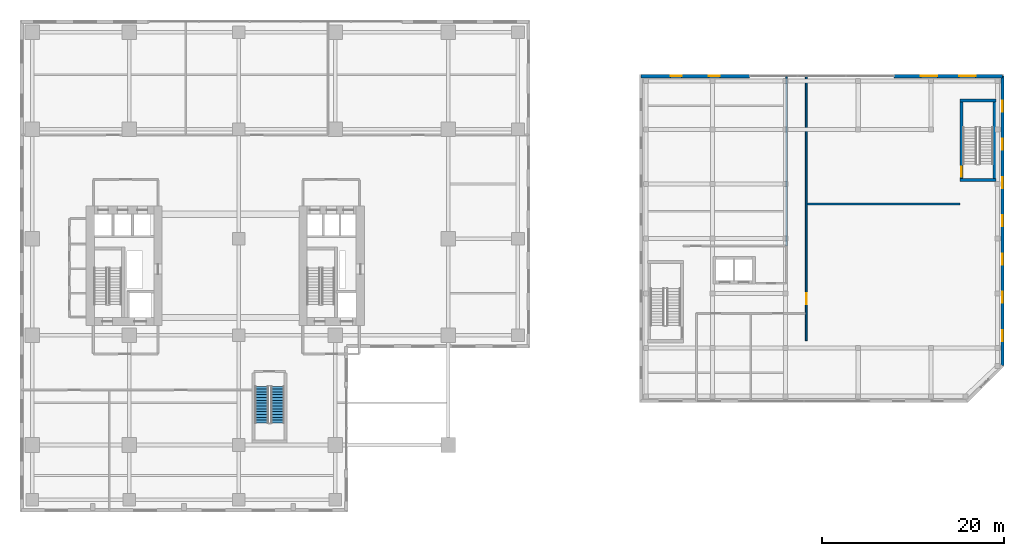
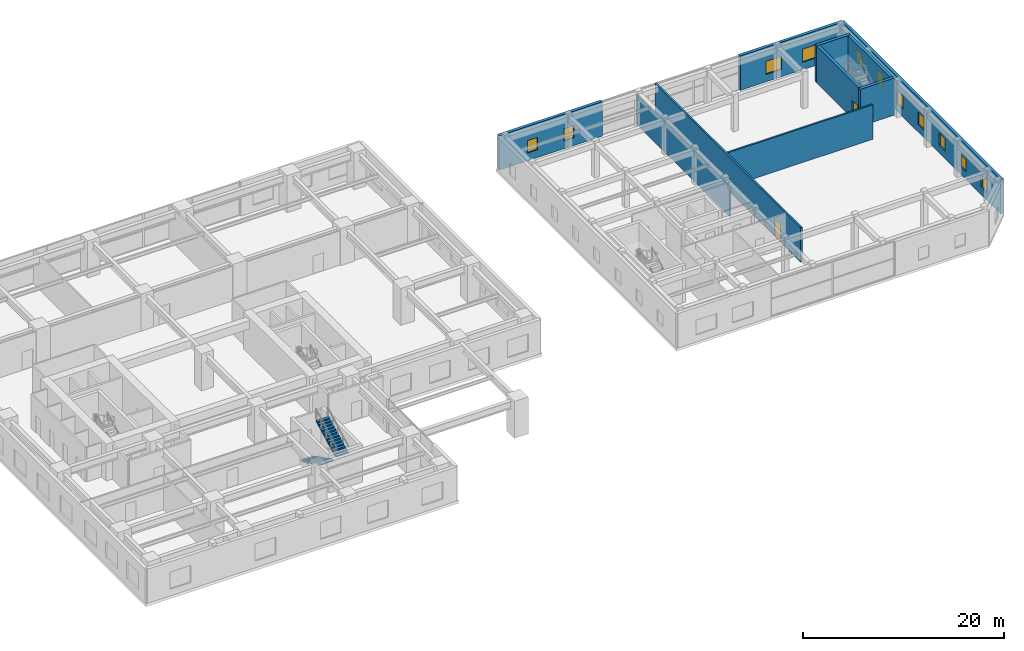
# One storey, part 23 of 26: 11 windows, 10 walls, 2 doors, 2 stair flights, 13 openings, 1 element without a shape of its own.
"""IFC4 building model written with IfcOpenShell, lengths in metres."""

from ifc_helpers import new_model, si_unit, direction, frame, frame_2d, origin, place, context, subcontext, project, spatial, polyline, rectangle, outline, extrude, source, transform, mapped, material, layer, layer_set, type_object, element, fill, aggregate, save


model = new_model("IFC4")

# Units and contexts
model_context = context("Model", 3, precision=1e-05, world=origin(), true_north=direction((0.0, 1.0)))
body_context = subcontext(model_context, "Body", "Model", "MODEL_VIEW")
ifc_project = project(units=[si_unit("LENGTHUNIT", "METRE"), si_unit("AREAUNIT", "SQUARE_METRE"), si_unit("VOLUMEUNIT", "CUBIC_METRE"), si_unit("PLANEANGLEUNIT", "RADIAN"), si_unit("MASSUNIT", "GRAM", prefix="KILO")], contexts=[model_context])

# Site, building, storey
site_placement = place(None, origin())
site = spatial("IfcSite", under=ifc_project, at=site_placement, CompositionType="ELEMENT")
building_placement = place(site_placement, origin())
building = spatial("IfcBuilding", under=site, at=building_placement, Name="Khoralis Quay Care Tower", CompositionType="ELEMENT")
storey_placement = place(building_placement, frame((0.0, 0.0, 13.5)))
storey = spatial("IfcBuildingStorey", under=building, at=storey_placement, Name="L03", CompositionType="ELEMENT", Elevation=13.5)

# Wall, opening, door
ifc_material_1 = material(Name="Gypsum plasterboard on acoustic metal stud")
ifc_layer_1 = layer(ifc_material_1, 0.199951171875)
ifc_layer_set_1 = layer_set([ifc_layer_1], Name="Gypsum plasterboard on acoustic metal stud")
wall_type_1 = type_object("IfcWallType", Name="WL-COMP-200", PredefinedType="PARTITIONING", material=ifc_layer_set_1)
wall_1_placement = place(storey_placement, frame((86.300048828125, 12.800048828125, 0.0), z_axis=(0.0, 0.0, 1.0), x_axis=(0.0, 1.0, 0.0)))
wall_1 = element("IfcWall", 1, at=wall_1_placement, inside=storey, type_object=wall_type_1, Name="L03 Sports Hall West Wall", PredefinedType="PARTITIONING", context=body_context, shape_type="SweptSolid", body=[
    extrude(rectangle(XDim=29.014892578125, YDim=0.199951171875, at=frame_2d((14.50732421875, 0.0))), origin(), (0.0, 0.0, 1.0), 4.199951171875),
])
opening_1_placement = place(wall_1_placement, frame((4.0, 0.0, 0.0)))
opening_1 = element("IfcOpeningElement", 2, at=opening_1_placement, cuts=wall_1, Name="Opening FD1", PredefinedType="OPENING", context=body_context, shape_type="SweptSolid", body=[
    extrude(rectangle(XDim=1.199951171875, YDim=2.199951171875, at=frame_2d((0.60009765625, 1.10009765625))), frame((0.0, 0.10986328125, 0.0), z_axis=(0.0, -1.0, 0.0), x_axis=(1.0, 0.0, 0.0)), (0.0, 0.0, 1.0), 0.219970703125),
])
ifc_material_2 = material(Name="Fire-rated painted steel", Category="steel")
door_type_1 = type_object("IfcDoorType", Name="DR-FFL-1200X2200", OperationType="NOTDEFINED", PredefinedType="DOOR", material=ifc_material_2)
shared_shape_1 = source(origin(), body_context, "Body", "SweptSolid", [
    extrude(rectangle(XDim=1.199951171875, YDim=2.199951171875, at=frame_2d((0.60009765625, 1.10009765625))), frame((0.0, 0.02490234375, 0.0), z_axis=(0.0, -1.0, 0.0), x_axis=(1.0, 0.0, 0.0)), (0.0, 0.0, 1.0), 0.050048828125),
])
door_1_placement = place(opening_1_placement, origin())
door_1 = element("IfcDoor", 3, at=door_1_placement, inside=storey, type_object=door_type_1, Name="Sports Hall Main Entrance Door", OperationType="DOUBLE_DOOR_SINGLE_SWING", OverallHeight=2.199951171875, OverallWidth=1.199951171875, PredefinedType="DOOR", context=body_context, shape_type="MappedRepresentation", body=[
    mapped(shared_shape_1, transform((0.0, 0.0, 0.0), scale=1.0)),
])
fill(opening_1, door_1)

# Walls
wall_2_placement = place(storey_placement, frame((86.39501953125, 27.800048828125, 0.0), z_axis=(0.0, 0.0, 1.0), x_axis=(1.0, 0.0, 0.0)))
element("IfcWall", 4, at=wall_2_placement, inside=storey, type_object=wall_type_1, Name="L03 Sports Hall North Corridor Wall", PredefinedType="PARTITIONING", context=body_context, shape_type="SweptSolid", body=[
    extrude(rectangle(XDim=16.7548828125, YDim=0.199951171875, at=frame_2d((8.37744140625, 0.0))), origin(), (0.0, 0.0, 1.0), 4.199951171875),
])
ifc_layer_2 = layer(ifc_material_1, 0.1650390625)
ifc_layer_set_2 = layer_set([ifc_layer_2], Name="Gypsum plasterboard on acoustic metal stud")
wall_type_2 = type_object("IfcWallType", Name="WL-CORR-165", PredefinedType="PARTITIONING", material=ifc_layer_set_2)
wall_3_placement = place(storey_placement, frame((84.1201171875, 23.199951171875, 0.0), z_axis=(0.0, 0.0, 1.0), x_axis=(0.0, 1.0, 0.0)))
element("IfcWall", 5, at=wall_3_placement, inside=storey, type_object=wall_type_2, Name="L03 Workshop Corridor Wall", PredefinedType="PARTITIONING", context=body_context, shape_type="SweptSolid", body=[
    extrude(rectangle(XDim=18.614990234375, YDim=0.1650390625, at=frame_2d((9.3076171875, 0.0))), origin(), (0.0, 0.0, 1.0), 3.550048828125),
])

# Wall, openings, windows
ifc_material_3 = material(Name="Precast concrete C40/50", Category="concrete")
ifc_layer_3 = layer(ifc_material_3, 0.340087890625)
ifc_layer_set_3 = layer_set([ifc_layer_3], Name="Precast concrete C40/50")
wall_type_3 = type_object("IfcWallType", Name="WL-EXT-SCH-340", PredefinedType="SOLIDWALL", material=ifc_layer_set_3)
wall_4_placement = place(storey_placement, frame((107.830078125, 10.0703125, 0.0), z_axis=(0.0, 0.0, 1.0), x_axis=(0.0, 1.0, 0.0)))
wall_4 = element("IfcWall", 6, at=wall_4_placement, inside=storey, type_object=wall_type_3, Name="L03 External Facade Wall WL-SCH-L03-E2", PredefinedType="SOLIDWALL", context=body_context, shape_type="SweptSolid", body=[
    extrude(rectangle(XDim=31.759765625, YDim=0.340087890625, at=frame_2d((15.8798828125, 0.0))), origin(), (0.0, 0.0, 1.0), 4.199951171875),
])
opening_2_placement = place(wall_4_placement, frame((2.6796875, 0.0, 0.949951171875)))
opening_2 = element("IfcOpeningElement", 7, at=opening_2_placement, cuts=wall_4, Name="Opening W6", PredefinedType="OPENING", context=body_context, shape_type="SweptSolid", body=[
    extrude(rectangle(XDim=1.199951171875, YDim=1.5, at=frame_2d((0.60009765625, 0.75))), frame((0.0, 0.18017578125, 0.0), z_axis=(0.0, -1.0, 0.0), x_axis=(1.0, 0.0, 0.0)), (0.0, 0.0, 1.0), 0.360107421875),
])
opening_3_placement = place(wall_4_placement, frame((6.8798828125, 0.0, 0.949951171875)))
opening_3 = element("IfcOpeningElement", 8, at=opening_3_placement, cuts=wall_4, Name="Opening W6", PredefinedType="OPENING", context=body_context, shape_type="SweptSolid", body=[
    extrude(rectangle(XDim=1.199951171875, YDim=1.5, at=frame_2d((0.60009765625, 0.75))), frame((0.0, 0.18017578125, 0.0), z_axis=(0.0, -1.0, 0.0), x_axis=(1.0, 0.0, 0.0)), (0.0, 0.0, 1.0), 0.360107421875),
])
opening_4_placement = place(wall_4_placement, frame((11.079833984375, 0.0, 0.949951171875)))
opening_4 = element("IfcOpeningElement", 9, at=opening_4_placement, cuts=wall_4, Name="Opening W6", PredefinedType="OPENING", context=body_context, shape_type="SweptSolid", body=[
    extrude(rectangle(XDim=1.199951171875, YDim=1.5, at=frame_2d((0.60009765625, 0.75))), frame((0.0, 0.18017578125, 0.0), z_axis=(0.0, -1.0, 0.0), x_axis=(1.0, 0.0, 0.0)), (0.0, 0.0, 1.0), 0.360107421875),
])
opening_5_placement = place(wall_4_placement, frame((15.27978515625, 0.0, 0.949951171875)))
opening_5 = element("IfcOpeningElement", 10, at=opening_5_placement, cuts=wall_4, Name="Opening W6", PredefinedType="OPENING", context=body_context, shape_type="SweptSolid", body=[
    extrude(rectangle(XDim=1.199951171875, YDim=1.5, at=frame_2d((0.60009765625, 0.75))), frame((0.0, 0.18017578125, 0.0), z_axis=(0.0, -1.0, 0.0), x_axis=(1.0, 0.0, 0.0)), (0.0, 0.0, 1.0), 0.360107421875),
])
opening_6_placement = place(wall_4_placement, frame((19.479736328125, 0.0, 0.949951171875)))
opening_6 = element("IfcOpeningElement", 11, at=opening_6_placement, cuts=wall_4, Name="Opening W6", PredefinedType="OPENING", context=body_context, shape_type="SweptSolid", body=[
    extrude(rectangle(XDim=1.199951171875, YDim=1.5, at=frame_2d((0.60009765625, 0.75))), frame((0.0, 0.18017578125, 0.0), z_axis=(0.0, -1.0, 0.0), x_axis=(1.0, 0.0, 0.0)), (0.0, 0.0, 1.0), 0.360107421875),
])
opening_7_placement = place(wall_4_placement, frame((23.6796875, 0.0, 0.949951171875)))
opening_7 = element("IfcOpeningElement", 12, at=opening_7_placement, cuts=wall_4, Name="Opening W6", PredefinedType="OPENING", context=body_context, shape_type="SweptSolid", body=[
    extrude(rectangle(XDim=1.199951171875, YDim=1.5, at=frame_2d((0.60009765625, 0.75))), frame((0.0, 0.18017578125, 0.0), z_axis=(0.0, -1.0, 0.0), x_axis=(1.0, 0.0, 0.0)), (0.0, 0.0, 1.0), 0.360107421875),
])
opening_8_placement = place(wall_4_placement, frame((27.8798828125, 0.0, 0.949951171875)))
opening_8 = element("IfcOpeningElement", 13, at=opening_8_placement, cuts=wall_4, Name="Opening W6", PredefinedType="OPENING", context=body_context, shape_type="SweptSolid", body=[
    extrude(rectangle(XDim=1.199951171875, YDim=1.5, at=frame_2d((0.60009765625, 0.75))), frame((0.0, 0.18017578125, 0.0), z_axis=(0.0, -1.0, 0.0), x_axis=(1.0, 0.0, 0.0)), (0.0, 0.0, 1.0), 0.360107421875),
])
ifc_material_4 = material(Name="Low-E solar-control double glazing", Category="glass")
window_type_1 = type_object("IfcWindowType", Name="WN-SCH-1200X1500", PartitioningType="SINGLE_PANEL", PredefinedType="WINDOW", material=ifc_material_4)
shared_shape_2 = source(origin(), body_context, "Body", "SweptSolid", [
    extrude(rectangle(XDim=1.199951171875, YDim=1.5, at=frame_2d((0.60009765625, 0.75))), frame((0.0, 0.030029296875, 0.0), z_axis=(0.0, -1.0, 0.0), x_axis=(1.0, 0.0, 0.0)), (0.0, 0.0, 1.0), 0.06005859375),
])
window_1_placement = place(opening_2_placement, origin())
window_1 = element("IfcWindow", 14, at=window_1_placement, inside=storey, type_object=window_type_1, Name="WN-SCH-L03-E2 Classroom Window 01", OverallHeight=1.5, OverallWidth=1.199951171875, PartitioningType="SINGLE_PANEL", PredefinedType="WINDOW", context=body_context, shape_type="MappedRepresentation", body=[
    mapped(shared_shape_2, transform((0.0, 0.0, 0.0), scale=1.0)),
])
fill(opening_2, window_1)
window_2_placement = place(opening_3_placement, origin())
window_2 = element("IfcWindow", 15, at=window_2_placement, inside=storey, type_object=window_type_1, Name="WN-SCH-L03-E2 Classroom Window 02", OverallHeight=1.5, OverallWidth=1.199951171875, PartitioningType="SINGLE_PANEL", PredefinedType="WINDOW", context=body_context, shape_type="MappedRepresentation", body=[
    mapped(shared_shape_2, transform((0.0, 0.0, 0.0), scale=1.0)),
])
fill(opening_3, window_2)
window_3_placement = place(opening_4_placement, origin())
window_3 = element("IfcWindow", 16, at=window_3_placement, inside=storey, type_object=window_type_1, Name="WN-SCH-L03-E2 Classroom Window 03", OverallHeight=1.5, OverallWidth=1.199951171875, PartitioningType="SINGLE_PANEL", PredefinedType="WINDOW", context=body_context, shape_type="MappedRepresentation", body=[
    mapped(shared_shape_2, transform((0.0, 0.0, 0.0), scale=1.0)),
])
fill(opening_4, window_3)
window_4_placement = place(opening_5_placement, origin())
window_4 = element("IfcWindow", 17, at=window_4_placement, inside=storey, type_object=window_type_1, Name="WN-SCH-L03-E2 Classroom Window 04", OverallHeight=1.5, OverallWidth=1.199951171875, PartitioningType="SINGLE_PANEL", PredefinedType="WINDOW", context=body_context, shape_type="MappedRepresentation", body=[
    mapped(shared_shape_2, transform((0.0, 0.0, 0.0), scale=1.0)),
])
fill(opening_5, window_4)
window_5_placement = place(opening_6_placement, origin())
window_5 = element("IfcWindow", 18, at=window_5_placement, inside=storey, type_object=window_type_1, Name="WN-SCH-L03-E2 Classroom Window 05", OverallHeight=1.5, OverallWidth=1.199951171875, PartitioningType="SINGLE_PANEL", PredefinedType="WINDOW", context=body_context, shape_type="MappedRepresentation", body=[
    mapped(shared_shape_2, transform((0.0, 0.0, 0.0), scale=1.0)),
])
fill(opening_6, window_5)
window_6_placement = place(opening_7_placement, origin())
window_6 = element("IfcWindow", 19, at=window_6_placement, inside=storey, type_object=window_type_1, Name="WN-SCH-L03-E2 Classroom Window 06", OverallHeight=1.5, OverallWidth=1.199951171875, PartitioningType="SINGLE_PANEL", PredefinedType="WINDOW", context=body_context, shape_type="MappedRepresentation", body=[
    mapped(shared_shape_2, transform((0.0, 0.0, 0.0), scale=1.0)),
])
fill(opening_7, window_6)
window_7_placement = place(opening_8_placement, origin())
window_7 = element("IfcWindow", 20, at=window_7_placement, inside=storey, type_object=window_type_1, Name="WN-SCH-L03-E2 Classroom Window 07", OverallHeight=1.5, OverallWidth=1.199951171875, PartitioningType="SINGLE_PANEL", PredefinedType="WINDOW", context=body_context, shape_type="MappedRepresentation", body=[
    mapped(shared_shape_2, transform((0.0, 0.0, 0.0), scale=1.0)),
])
fill(opening_8, window_7)

wall_5_placement = place(storey_placement, frame((107.830078125, 41.830078125, 0.0), z_axis=(0.0, 0.0, 1.0), x_axis=(-1.0, 0.0, 0.0)))
wall_5 = element("IfcWall", 21, at=wall_5_placement, inside=storey, type_object=wall_type_3, Name="L03 External Facade Wall WL-SCH-L03-E3A", PredefinedType="SOLIDWALL", context=body_context, shape_type="SweptSolid", body=[
    extrude(rectangle(XDim=11.898193359375, YDim=0.340087890625, at=frame_2d((5.94921875, 0.0))), origin(), (0.0, 0.0, 1.0), 4.199951171875),
])
opening_9_placement = place(wall_5_placement, frame((2.948974609375, 0.0, 0.89990234375)))
opening_9 = element("IfcOpeningElement", 22, at=opening_9_placement, cuts=wall_5, Name="Opening W5", PredefinedType="OPENING", context=body_context, shape_type="SweptSolid", body=[
    extrude(rectangle(XDim=1.800048828125, YDim=1.60009765625, at=frame_2d((0.89990234375, 0.800048828125))), frame((0.0, 0.18017578125, 0.0), z_axis=(0.0, -1.0, 0.0), x_axis=(1.0, 0.0, 0.0)), (0.0, 0.0, 1.0), 0.360107421875),
])
opening_10_placement = place(wall_5_placement, frame((7.14892578125, 0.0, 0.89990234375)))
opening_10 = element("IfcOpeningElement", 23, at=opening_10_placement, cuts=wall_5, Name="Opening W5", PredefinedType="OPENING", context=body_context, shape_type="SweptSolid", body=[
    extrude(rectangle(XDim=1.800048828125, YDim=1.60009765625, at=frame_2d((0.89990234375, 0.800048828125))), frame((0.0, 0.18017578125, 0.0), z_axis=(0.0, -1.0, 0.0), x_axis=(1.0, 0.0, 0.0)), (0.0, 0.0, 1.0), 0.360107421875),
])
window_type_2 = type_object("IfcWindowType", Name="WN-SCH-1800X1600", PartitioningType="SINGLE_PANEL", PredefinedType="WINDOW", material=ifc_material_4)
shared_shape_3 = source(origin(), body_context, "Body", "SweptSolid", [
    extrude(rectangle(XDim=1.800048828125, YDim=1.60009765625, at=frame_2d((0.89990234375, 0.800048828125))), frame((0.0, 0.030029296875, 0.0), z_axis=(0.0, -1.0, 0.0), x_axis=(1.0, 0.0, 0.0)), (0.0, 0.0, 1.0), 0.06005859375),
])
window_8_placement = place(opening_9_placement, origin())
window_8 = element("IfcWindow", 24, at=window_8_placement, inside=storey, type_object=window_type_2, Name="WN-SCH-L03-3A Classroom Window 01", OverallHeight=1.60009765625, OverallWidth=1.800048828125, PartitioningType="SINGLE_PANEL", PredefinedType="WINDOW", context=body_context, shape_type="MappedRepresentation", body=[
    mapped(shared_shape_3, transform((0.0, 0.0, 0.0), scale=1.0)),
])
fill(opening_9, window_8)
window_9_placement = place(opening_10_placement, origin())
window_9 = element("IfcWindow", 25, at=window_9_placement, inside=storey, type_object=window_type_2, Name="WN-SCH-L03-3A Classroom Window 02", OverallHeight=1.60009765625, OverallWidth=1.800048828125, PartitioningType="SINGLE_PANEL", PredefinedType="WINDOW", context=body_context, shape_type="MappedRepresentation", body=[
    mapped(shared_shape_3, transform((0.0, 0.0, 0.0), scale=1.0)),
])
fill(opening_10, window_9)

wall_6_placement = place(storey_placement, frame((80.068115234375, 41.830078125, 0.0), z_axis=(0.0, 0.0, 1.0), x_axis=(-1.0, 0.0, 0.0)))
wall_6 = element("IfcWall", 26, at=wall_6_placement, inside=storey, type_object=wall_type_3, Name="L03 External Facade Wall WL-SCH-L03-E3B", PredefinedType="SOLIDWALL", context=body_context, shape_type="SweptSolid", body=[
    extrude(rectangle(XDim=11.898193359375, YDim=0.340087890625, at=frame_2d((5.94921875, 0.0))), origin(), (0.0, 0.0, 1.0), 4.199951171875),
])
opening_11_placement = place(wall_6_placement, frame((3.2490234375, 0.0, 0.949951171875)))
opening_11 = element("IfcOpeningElement", 27, at=opening_11_placement, cuts=wall_6, Name="Opening W6", PredefinedType="OPENING", context=body_context, shape_type="SweptSolid", body=[
    extrude(rectangle(XDim=1.199951171875, YDim=1.5, at=frame_2d((0.60009765625, 0.75))), frame((0.0, 0.18017578125, 0.0), z_axis=(0.0, -1.0, 0.0), x_axis=(1.0, 0.0, 0.0)), (0.0, 0.0, 1.0), 0.360107421875),
])
opening_12_placement = place(wall_6_placement, frame((7.448974609375, 0.0, 0.949951171875)))
opening_12 = element("IfcOpeningElement", 28, at=opening_12_placement, cuts=wall_6, Name="Opening W6", PredefinedType="OPENING", context=body_context, shape_type="SweptSolid", body=[
    extrude(rectangle(XDim=1.199951171875, YDim=1.5, at=frame_2d((0.60009765625, 0.75))), frame((0.0, 0.18017578125, 0.0), z_axis=(0.0, -1.0, 0.0), x_axis=(1.0, 0.0, 0.0)), (0.0, 0.0, 1.0), 0.360107421875),
])
window_10_placement = place(opening_11_placement, origin())
window_10 = element("IfcWindow", 29, at=window_10_placement, inside=storey, type_object=window_type_1, Name="WN-SCH-L03-3B Classroom Window 01", OverallHeight=1.5, OverallWidth=1.199951171875, PartitioningType="SINGLE_PANEL", PredefinedType="WINDOW", context=body_context, shape_type="MappedRepresentation", body=[
    mapped(shared_shape_2, transform((0.0, 0.0, 0.0), scale=1.0)),
])
fill(opening_11, window_10)
window_11_placement = place(opening_12_placement, origin())
window_11 = element("IfcWindow", 30, at=window_11_placement, inside=storey, type_object=window_type_1, Name="WN-SCH-L03-3B Classroom Window 02", OverallHeight=1.5, OverallWidth=1.199951171875, PartitioningType="SINGLE_PANEL", PredefinedType="WINDOW", context=body_context, shape_type="MappedRepresentation", body=[
    mapped(shared_shape_2, transform((0.0, 0.0, 0.0), scale=1.0)),
])
fill(opening_12, window_11)

# Wall, opening, door
ifc_material_5 = material(Name="Concrete C40/50", Category="concrete")
ifc_layer_4 = layer(ifc_material_5, 0.35009765625)
ifc_layer_set_4 = layer_set([ifc_layer_4], Name="Concrete C40/50")
wall_type_4 = type_object("IfcWallType", Name="WL-SC-CORE-350", PredefinedType="SHEAR", material=ifc_layer_set_4)
wall_7_placement = place(storey_placement, frame((103.344970703125, 30.27001953125, 0.0), z_axis=(0.0, 0.0, 1.0), x_axis=(0.0, 1.0, 0.0)))
wall_7 = element("IfcWall", 31, at=wall_7_placement, inside=storey, type_object=wall_type_4, Name="L03 School Stair ST-S2 West Shear Wall", PredefinedType="SHEAR", context=body_context, shape_type="SweptSolid", body=[
    extrude(rectangle(XDim=9.06005859375, YDim=0.35009765625, at=frame_2d((4.530029296875, 0.0))), origin(), (0.0, 0.0, 1.0), 4.5),
])
opening_13_placement = place(wall_7_placement, frame((0.550048828125, 0.0, 0.0)))
opening_13 = element("IfcOpeningElement", 32, at=opening_13_placement, cuts=wall_7, Name="Opening SD1", PredefinedType="OPENING", context=body_context, shape_type="SweptSolid", body=[
    extrude(rectangle(XDim=1.10009765625, YDim=2.199951171875, at=frame_2d((0.550048828125, 1.10009765625))), frame((0.0, 0.18505859375, 0.0), z_axis=(0.0, -1.0, 0.0), x_axis=(1.0, 0.0, 0.0)), (0.0, 0.0, 1.0), 0.3701171875),
])
door_type_2 = type_object("IfcDoorType", Name="DR-STAIR-1100X2200", OperationType="NOTDEFINED", PredefinedType="DOOR", material=ifc_material_2)
shared_shape_4 = source(origin(), body_context, "Body", "SweptSolid", [
    extrude(rectangle(XDim=1.10009765625, YDim=2.199951171875, at=frame_2d((0.550048828125, 1.10009765625))), frame((0.0, 0.02490234375, 0.0), z_axis=(0.0, -1.0, 0.0), x_axis=(1.0, 0.0, 0.0)), (0.0, 0.0, 1.0), 0.050048828125),
])
door_2_placement = place(opening_13_placement, frame((1.10009765625, 0.0, 0.0), z_axis=(0.0, 0.0, 1.0), x_axis=(-1.0, 0.0, 0.0)))
door_2 = element("IfcDoor", 33, at=door_2_placement, inside=storey, type_object=door_type_2, Name="L03 School Stair ST-S2 Door", OperationType="SINGLE_SWING_RIGHT", OverallHeight=2.199951171875, OverallWidth=1.10009765625, PredefinedType="DOOR", context=body_context, shape_type="MappedRepresentation", body=[
    mapped(shared_shape_4, transform((0.0, 0.0, 0.0), scale=1.0)),
])
fill(opening_13, door_2)

# Walls
for number, where, z_axis, x_axis, name in (
    (34, (103.169921875, 30.445068359375, 0.0), (0.0, 0.0, 1.0), (1.0, 0.0, 0.0), "L03 School Stair ST-S2 South Shear Wall"),
    (35, (103.169921875, 39.155029296875, 0.0), (0.0, 0.0, 1.0), (1.0, 0.0, 0.0), "L03 School Stair ST-S2 North Shear Wall"),
):
    element("IfcWall", number, at=place(storey_placement, frame(where, z_axis=z_axis, x_axis=x_axis)), inside=storey, type_object=wall_type_4, Name=name, PredefinedType="SHEAR", context=body_context, shape_type="SweptSolid", body=[
        extrude(rectangle(XDim=3.9599609375, YDim=0.35009765625, at=frame_2d((1.97998046875, 0.0))), origin(), (0.0, 0.0, 1.0), 4.5),
    ])
wall_8_placement = place(storey_placement, frame((106.955078125, 30.27001953125, 0.0), z_axis=(0.0, 0.0, 1.0), x_axis=(0.0, 1.0, 0.0)))
element("IfcWall", 36, at=wall_8_placement, inside=storey, type_object=wall_type_4, Name="L03 School Stair ST-S2 East Shear Wall", PredefinedType="SHEAR", context=body_context, shape_type="SweptSolid", body=[
    extrude(rectangle(XDim=9.06005859375, YDim=0.35009765625, at=frame_2d((4.530029296875, 0.0))), origin(), (0.0, 0.0, 1.0), 4.5),
])

# Stair, stair flights
ifc_material_6 = material(Name="Precast concrete C45/55", Category="concrete")
stair_type = type_object("IfcStairType", Name="ST-POD-DOGLEG-1500", PredefinedType="HALF_TURN_STAIR", material=ifc_material_6)
stair_placement = place(storey_placement, origin())
stair = element("IfcStair", 37, at=stair_placement, inside=storey, type_object=stair_type, Name="L03 Podium Clinical Stair ST-P1", PredefinedType="HALF_TURN_STAIR")
stair_flight_type = type_object("IfcStairFlightType", Name="SF-POD-1500", PredefinedType="STRAIGHT", material=ifc_material_6)
shared_shape_5 = source(origin(), body_context, "Body", "SweptSolid", [
    extrude(outline(polyline([(0.0, 0.0), (0.0, 0.16064453125), (0.31005859375, 0.16064453125), (0.31005859375, 0.321533203125), (0.6201171875, 0.321533203125), (0.6201171875, 0.482177734375), (0.929931640625, 0.482177734375), (0.929931640625, 0.642822265625), (1.239990234375, 0.642822265625), (1.239990234375, 0.803466796875), (1.550048828125, 0.803466796875), (1.550048828125, 0.96435546875), (1.860107421875, 0.96435546875), (1.860107421875, 1.125), (2.169921875, 1.125), (2.169921875, 1.28564453125), (2.47998046875, 1.28564453125), (2.47998046875, 1.446533203125), (2.7900390625, 1.446533203125), (2.7900390625, 1.607177734375), (3.10009765625, 1.607177734375), (3.10009765625, 1.767822265625), (3.409912109375, 1.767822265625), (3.409912109375, 1.928466796875), (3.719970703125, 1.928466796875), (3.719970703125, 2.08935546875), (4.030029296875, 2.08935546875), (4.030029296875, 2.25), (4.030029296875, 1.92041015625), (0.32568359375, 0.0), (0.0, 0.0)])), frame((0.0, 0.72509765625, 0.0), z_axis=(0.0, -1.0, 0.0), x_axis=(1.0, 0.0, 0.0)), (0.0, 0.0, 1.0), 1.449951171875),
])
stair_flight_1_placement = place(storey_placement, frame((26.52490234375, 7.800048828125, 0.0), z_axis=(0.0, 0.0, 1.0), x_axis=(0.0, -1.0, 0.0)))
stair_flight_1 = element("IfcStairFlight", 38, at=stair_flight_1_placement, type_object=stair_flight_type, Name="ST-P1 flight 1", NumberOfRisers=14, NumberOfTreads=13, PredefinedType="STRAIGHT", RiserHeight=0.160714286, TreadLength=0.31, context=body_context, shape_type="MappedRepresentation", body=[
    mapped(shared_shape_5, transform((0.0, 0.0, 0.0), scale=1.0)),
])
stair_flight_2_placement = place(storey_placement, frame((28.27490234375, 3.77001953125, 2.25), z_axis=(0.0, 0.0, 1.0), x_axis=(0.0, 1.0, 0.0)))
stair_flight_2 = element("IfcStairFlight", 39, at=stair_flight_2_placement, type_object=stair_flight_type, Name="ST-P1 flight 2", NumberOfRisers=14, NumberOfTreads=13, PredefinedType="STRAIGHT", RiserHeight=0.160714286, TreadLength=0.31, context=body_context, shape_type="MappedRepresentation", body=[
    mapped(shared_shape_5, transform((0.0, 0.0, 0.0), scale=1.0)),
])
aggregate(stair, [stair_flight_1, stair_flight_2])

save(model, "model.ifc")
